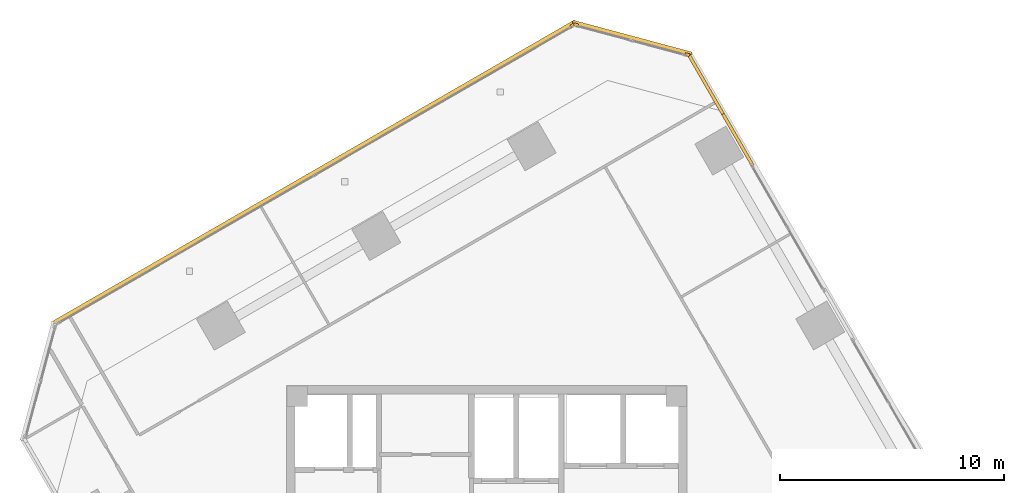
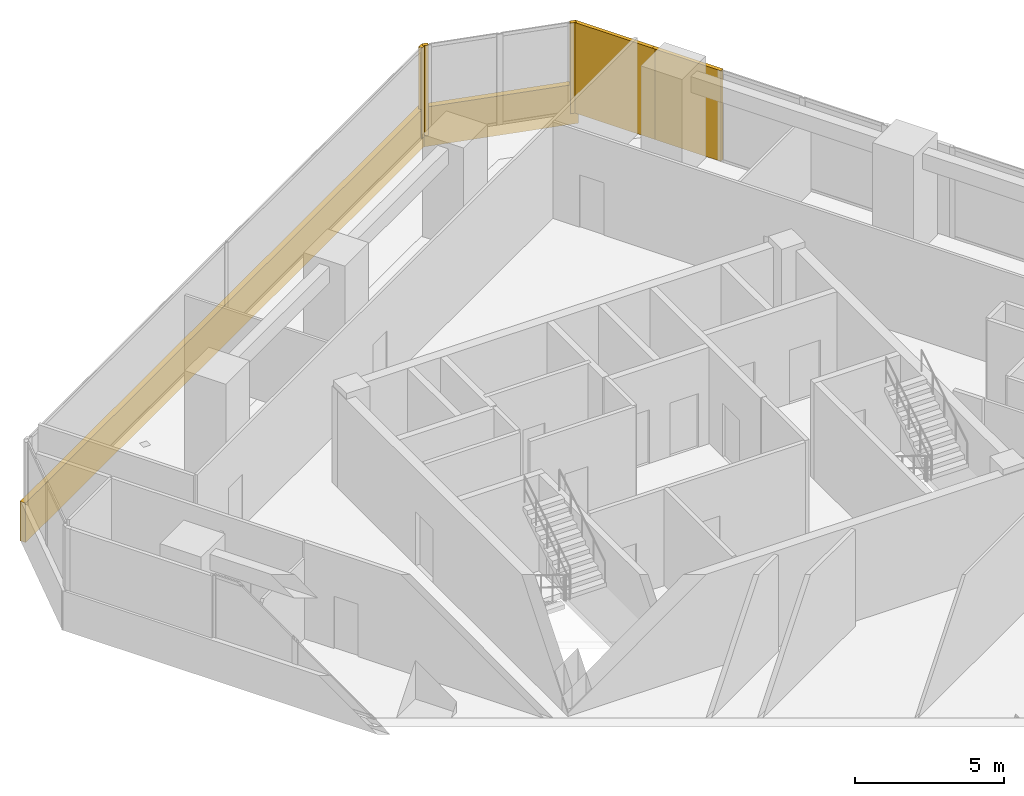
# One storey, part 16 of 16: 7 coverings.
"""IFC4 building model written with IfcOpenShell, lengths in metres."""

from ifc_helpers import new_model, si_unit, direction, frame, origin, origin_2d, place, context, subcontext, project, spatial, rectangle, extrude, source, transform, mapped, material, layer, layer_set, type_object, element, save


model = new_model("IFC4")

# Units and contexts
model_context = context("Model", 3, precision=1e-05, world=origin(), true_north=direction((0.0, 1.0)))
body_context = subcontext(model_context, "Body", "Model", "MODEL_VIEW")
ifc_project = project(units=[si_unit("LENGTHUNIT", "METRE"), si_unit("AREAUNIT", "SQUARE_METRE"), si_unit("VOLUMEUNIT", "CUBIC_METRE"), si_unit("PLANEANGLEUNIT", "RADIAN"), si_unit("MASSUNIT", "GRAM", prefix="KILO")], contexts=[model_context])

# Site, building, storey
site_placement = place(None, origin())
site = spatial("IfcSite", under=ifc_project, at=site_placement, CompositionType="ELEMENT")
building_placement = place(site_placement, origin())
building = spatial("IfcBuilding", under=site, at=building_placement, Name="Torre Montelarca", CompositionType="ELEMENT")
storey_placement = place(building_placement, frame((0.0, 0.0, 319.800048828125)))
storey = spatial("IfcBuildingStorey", under=building, at=storey_placement, Name="L72", CompositionType="ELEMENT", Elevation=319.800048828125)

# Coverings
ifc_material = material(Name="Bush-hammered warm white precast concrete C45/55", Category="concrete")
ifc_layer = layer(ifc_material, 0.139892578125, Name="Bush-hammered warm white precast concrete C45/55", Category="concrete")
ifc_layer_set = layer_set([ifc_layer], Name="Bush-hammered warm white precast concrete C45/55")
covering_type = type_object("IfcCoveringType", Name="COV-TRAY-CLAD", PredefinedType="CLADDING", material=ifc_layer_set)
shared_shape_1 = source(origin(), body_context, "Body", "SweptSolid", [
    extrude(rectangle(XDim=0.199951171875, YDim=0.139892578125, at=origin_2d()), origin(), (0.0, 0.0, 1.0), 3.719970703125),
])
for number, where, z_axis, x_axis, name in (
    (1, (26.9443359375, 54.678955078125, 0.0), (0.0, 0.0, 1.0), (-0.965925374563, 0.258820730961, 0.0), "L72 Architectural Column Pier Cladding E09-1"),
    (2, (21.977294921875, 56.009765625, 0.0), (0.0, 0.0, 1.0), (-0.965925374563, 0.258820730961, 0.0), "L72 Architectural Column Pier Cladding E09-2"),
    (3, (21.83349609375, 55.99072265625, 0.0), (0.0, 0.0, 1.0), (-0.866025403784, -0.5, 0.0), "L72 Architectural Column Pier Cladding E10-1"),
):
    element("IfcCovering", number, at=place(storey_placement, frame(where, z_axis=z_axis, x_axis=x_axis)), inside=storey, type_object=covering_type, Name=name, PredefinedType="CLADDING", context=body_context, shape_type="MappedRepresentation", body=[
        mapped(shared_shape_1, transform((0.0, 0.0, 0.0), scale=1.0)),
    ])
shared_shape_2 = source(origin(), body_context, "Body", "SweptSolid", [
    extrude(rectangle(XDim=2.659912109375, YDim=0.139892578125, at=origin_2d()), origin(), (0.0, 0.0, 1.0), 3.719970703125),
])
covering_1_placement = place(storey_placement, frame((29.20166015625, 50.88037109375, 0.0), z_axis=(0.0, 0.0, 1.0), x_axis=(-0.500001511499, 0.866024531118, 0.0)))
element("IfcCovering", 4, at=covering_1_placement, inside=storey, type_object=covering_type, Name="L72 Architectural Column Pier Cladding E08-4", PredefinedType="CLADDING", context=body_context, shape_type="MappedRepresentation", body=[
    mapped(shared_shape_2, transform((0.0, 0.0, 0.0), scale=1.0)),
])
shared_shape_3 = source(origin(), body_context, "Body", "SweptSolid", [
    extrude(rectangle(XDim=5.493896484375, YDim=0.219970703125, at=origin_2d()), origin(), (0.0, 0.0, 1.0), 1.6201171875),
])
covering_2_placement = place(storey_placement, frame((24.476318359375, 55.40234375, -0.4501953125), z_axis=(0.0, 0.0, 1.0), x_axis=(-0.965925826289, 0.258819045103, 0.0)))
element("IfcCovering", 5, at=covering_2_placement, inside=storey, type_object=covering_type, Name="L72 Architectural White Spandrel Tray Band TRYBOT-09", PredefinedType="CLADDING", context=body_context, shape_type="MappedRepresentation", body=[
    mapped(shared_shape_3, transform((0.0, 0.0, 0.0), scale=1.0)),
])
shared_shape_4 = source(origin(), body_context, "Body", "SweptSolid", [
    extrude(rectangle(XDim=26.919921875, YDim=0.219970703125, at=origin_2d()), origin(), (0.0, 0.0, 1.0), 1.6201171875),
])
covering_3_placement = place(storey_placement, frame((10.298828125, 49.400634765625, -0.4501953125), z_axis=(0.0, 0.0, 1.0), x_axis=(-0.866025403784, -0.5, 0.0)))
element("IfcCovering", 6, at=covering_3_placement, inside=storey, type_object=covering_type, Name="L72 Architectural White Spandrel Tray Band TRYBOT-10", PredefinedType="CLADDING", context=body_context, shape_type="MappedRepresentation", body=[
    mapped(shared_shape_4, transform((0.0, 0.0, 0.0), scale=1.0)),
])
shared_shape_5 = source(origin(), body_context, "Body", "SweptSolid", [
    extrude(rectangle(XDim=3.154296875, YDim=0.139892578125, at=origin_2d()), origin(), (0.0, 0.0, 1.0), 3.719970703125),
])
covering_4_placement = place(storey_placement, frame((27.798095703125, 53.311279296875, 0.0), z_axis=(0.0, 0.0, 1.0), x_axis=(-0.500001511499, 0.866024531118, 0.0)))
element("IfcCovering", 7, at=covering_4_placement, inside=storey, type_object=covering_type, Name="L72 Architectural Column Pier Cladding E08-5", PredefinedType="CLADDING", context=body_context, shape_type="MappedRepresentation", body=[
    mapped(shared_shape_5, transform((0.0, 0.0, 0.0), scale=1.0)),
])

save(model, "model.ifc")
